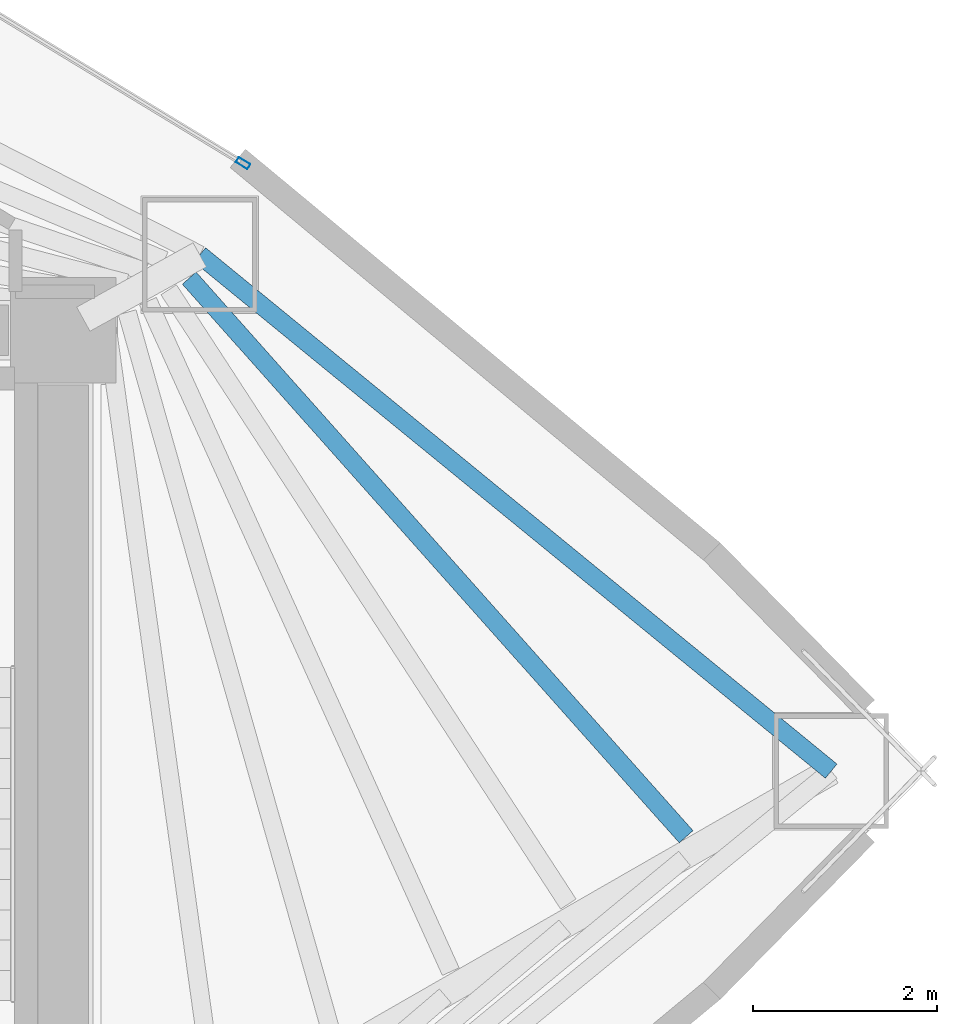
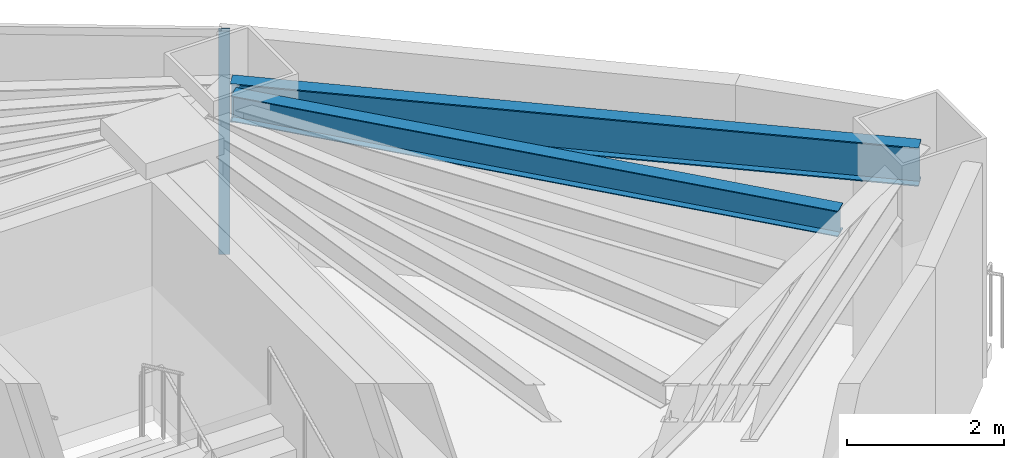
# One storey, part 12 of 18: 2 beams, 1 member, 1 element without a shape of its own.
"""IFC4 building model written with IfcOpenShell, lengths in metres."""

from ifc_helpers import new_model, si_unit, direction, frame, origin, origin_2d, place, context, subcontext, project, spatial, hollow_rectangle, i_section, extrude, material, layer, layer_set, material_profile, profile_set, type_object, element, aggregate, save


model = new_model("IFC4")

# Units and contexts
model_context = context("Model", 3, precision=1e-05, world=origin(), true_north=direction((0.0, 1.0)))
body_context = subcontext(model_context, "Body", "Model", "MODEL_VIEW")
ifc_project = project(units=[si_unit("LENGTHUNIT", "METRE"), si_unit("AREAUNIT", "SQUARE_METRE"), si_unit("VOLUMEUNIT", "CUBIC_METRE"), si_unit("PLANEANGLEUNIT", "RADIAN"), si_unit("MASSUNIT", "GRAM", prefix="KILO")], contexts=[model_context])

# Site, building, storey
site_placement = place(None, origin())
site = spatial("IfcSite", under=ifc_project, at=site_placement, CompositionType="ELEMENT")
building_placement = place(site_placement, origin())
building = spatial("IfcBuilding", under=site, at=building_placement, Name="Menara Vayukalpa", CompositionType="ELEMENT")
storey_placement = place(building_placement, frame((0.0, 0.0, 96.5400390625)))
storey = spatial("IfcBuildingStorey", under=building, at=storey_placement, Name="L23", CompositionType="ELEMENT", Elevation=96.5400390625)

# Beams
ifc_material_1 = material(Name="Steel S355", Category="steel")
ifc_material_profile_1 = material_profile(ifc_material_1, i_section(OverallWidth=0.199951171875, OverallDepth=0.39990234375, WebThickness=0.008056640625, FlangeThickness=0.012939453125, at=origin_2d()), Name="WF 400x200x8x13")
ifc_profile_set_1 = profile_set([ifc_material_profile_1], Name="Steel S355")
beam_type_1 = type_object("IfcBeamType", Name="BM-SJ2", PredefinedType="JOIST", material=ifc_profile_set_1)
beam_1_placement = place(storey_placement, frame((40.182861328125, 21.285400390625, 3.27001953125), z_axis=(-0.664656003625, 0.747149514384, 0.0), x_axis=(-0.747149514384, -0.664656003625, 0.0)))
element("IfcBeam", 1, at=beam_1_placement, inside=storey, type_object=beam_type_1, Name="L23 Secondary Floor Joist SJ01-5", PredefinedType="JOIST", context=body_context, shape_type="SweptSolid", body=[
    extrude(i_section(OverallWidth=0.199951171875, OverallDepth=0.39990234375, WebThickness=0.008056640625, FlangeThickness=0.012939453125, at=origin_2d()), origin(), (0.0, 0.0, 1.0), 8.1416015625),
])
ifc_material_2 = material(Name="Steel S355", Category="steel")
ifc_material_profile_2 = material_profile(ifc_material_2, i_section(OverallWidth=0.199951171875, OverallDepth=0.60009765625, WebThickness=0.010986328125, FlangeThickness=0.01708984375, at=origin_2d()), Name="WF 600x200x11x17")
ifc_profile_set_2 = profile_set([ifc_material_profile_2], Name="Steel S355")
beam_type_2 = type_object("IfcBeamType", Name="BM-SP1", PredefinedType="SPANDREL", material=ifc_profile_set_2)
beam_2_placement = place(storey_placement, frame((41.761962890625, 22.0, 3.169921875), z_axis=(-0.774156906301, 0.632993747541, 0.0), x_axis=(-0.632993747541, -0.774156906301, 0.0)))
element("IfcBeam", 2, at=beam_2_placement, inside=storey, type_object=beam_type_2, Name="L23 Perimeter Spandrel Beam SP01", PredefinedType="SPANDREL", context=body_context, shape_type="SweptSolid", body=[
    extrude(i_section(OverallWidth=0.199951171875, OverallDepth=0.60009765625, WebThickness=0.010986328125, FlangeThickness=0.01708984375, at=origin_2d()), origin(), (0.0, 0.0, 1.0), 8.880859375),
])

# Curtain wall, member
ifc_material_3 = material(Name="Anodised Terracotta Aluminium Alloy 6063-T6", Category="masonry")
ifc_layer = layer(ifc_material_3, 0.14990234375)
ifc_layer_set = layer_set([ifc_layer], Name="Anodised Terracotta Aluminium Alloy 6063-T6")
curtain_wall_type = type_object("IfcCurtainWallType", Name="CW-CW3", PredefinedType="USERDEFINED", material=ifc_layer_set)
curtain_wall_placement = place(storey_placement, origin())
curtain_wall = element("IfcCurtainWall", 3, at=curtain_wall_placement, inside=storey, type_object=curtain_wall_type, Name="L23 Mid Rise Terracotta Ribbon Curtain Wall CW3 04", ObjectType="UNITISED", PredefinedType="USERDEFINED")
ifc_material_4 = material(Name="Anodised Terracotta Aluminium Alloy 6063-T6", Category="masonry")
ifc_material_profile_3 = material_profile(ifc_material_4, hollow_rectangle(XDim=0.06494140625, YDim=0.14990234375, WallThickness=0.00341796875, at=origin_2d()), Name="ALU 65x150x3.5")
ifc_profile_set_3 = profile_set([ifc_material_profile_3], Name="Anodised Terracotta Aluminium Alloy 6063-T6")
member_type = type_object("IfcMemberType", Name="CWM-CW3", PredefinedType="MULLION", material=ifc_profile_set_3)
member_placement = place(storey_placement, frame((35.358154296875, 28.61865234375, 0.0), z_axis=(0.0, 0.0, 1.0), x_axis=(-0.519182959112, -0.854663123674, 0.0)))
member = element("IfcMember", 4, at=member_placement, type_object=member_type, Name="CW3 mullion 1", PredefinedType="MULLION", context=body_context, shape_type="SweptSolid", body=[
    extrude(hollow_rectangle(XDim=0.06494140625, YDim=0.14990234375, WallThickness=0.00341796875, at=origin_2d()), origin(), (0.0, 0.0, 1.0), 3.469970703125),
])
aggregate(curtain_wall, [member])

save(model, "model.ifc")
